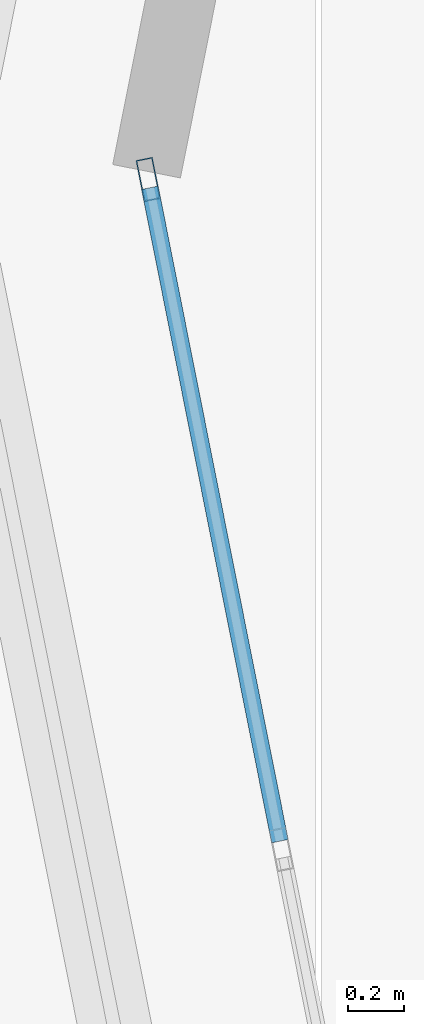
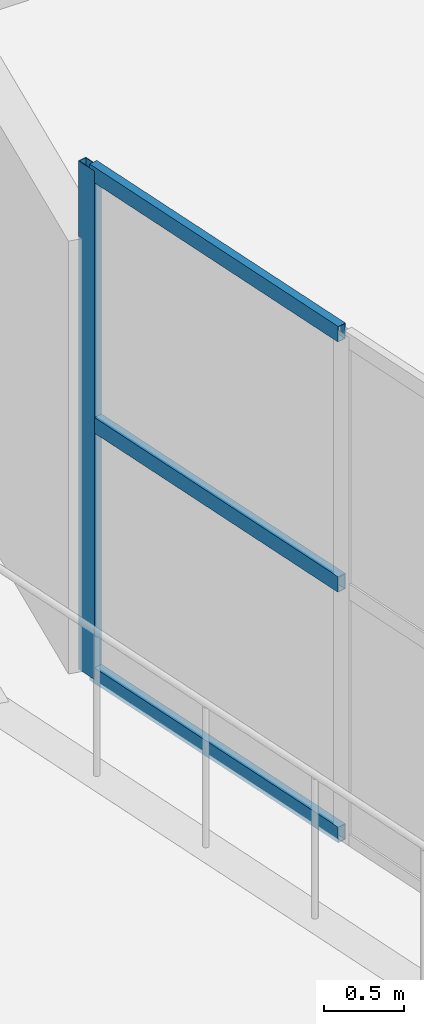
# One storey, part 3 of 50: 4 members, 1 element without a shape of its own.
"""IFC4 building model written with IfcOpenShell, lengths in metres."""

from ifc_helpers import new_model, si_unit, direction, frame, origin, origin_2d, place, context, subcontext, project, spatial, hollow_rectangle, extrude, material, layer, layer_set, material_profile, profile_set, type_object, element, aggregate, save


model = new_model("IFC4")

# Units and contexts
model_context = context("Model", 3, precision=1e-05, world=origin(), true_north=direction((0.0, 1.0)))
body_context = subcontext(model_context, "Body", "Model", "MODEL_VIEW")
ifc_project = project(units=[si_unit("LENGTHUNIT", "METRE"), si_unit("AREAUNIT", "SQUARE_METRE"), si_unit("VOLUMEUNIT", "CUBIC_METRE"), si_unit("PLANEANGLEUNIT", "RADIAN"), si_unit("MASSUNIT", "GRAM", prefix="KILO")], contexts=[model_context])

# Site, building, storey
site_placement = place(None, origin())
site = spatial("IfcSite", under=ifc_project, at=site_placement, CompositionType="ELEMENT")
building_placement = place(site_placement, origin())
building = spatial("IfcBuilding", under=site, at=building_placement, Name="Zizhar Promenade General Hospital", CompositionType="ELEMENT")
storey_placement = place(building_placement, frame((0.0, 0.0, 30.60009765625)))
storey = spatial("IfcBuildingStorey", under=building, at=storey_placement, Name="L07", CompositionType="ELEMENT", Elevation=30.60009765625)

# Curtain wall, members
ifc_material_1 = material(Name="Anodised aluminium 6063-T6 and low-E glass", Category="aluminium")
ifc_layer = layer(ifc_material_1, 0.159912109375)
ifc_layer_set = layer_set([ifc_layer], Name="Anodised aluminium 6063-T6 and low-E glass")
curtain_wall_type = type_object("IfcCurtainWallType", Name="CW-WARD-ARC", PredefinedType="NOTDEFINED", material=ifc_layer_set)
curtain_wall_placement = place(storey_placement, origin())
curtain_wall = element("IfcCurtainWall", 1, at=curtain_wall_placement, inside=storey, type_object=curtain_wall_type, Name="Ward Semicircular End Glazing L07-14", PredefinedType="NOTDEFINED")
ifc_material_2 = material(Name="Anodised aluminium 6063-T6", Category="aluminium")
ifc_material_profile_1 = material_profile(ifc_material_2, hollow_rectangle(XDim=0.06005859375, YDim=0.14990234375, WallThickness=0.00390625, at=origin_2d()))
ifc_profile_set_1 = profile_set([ifc_material_profile_1], Name="Anodised aluminium 6063-T6")
member_type_1 = type_object("IfcMemberType", Name="CWM-ALU-150x60", PredefinedType="MULLION", material=ifc_profile_set_1)
member_1_placement = place(storey_placement, frame((28.40576171875, 12.570556640625, 0.0), z_axis=(0.0, 0.0, 1.0), x_axis=(-0.980785889615, -0.195087259275, 0.0)))
member_1 = element("IfcMember", 2, at=member_1_placement, type_object=member_type_1, Name="CW-12 mullion 3", PredefinedType="MULLION", context=body_context, shape_type="SweptSolid", body=[
    extrude(hollow_rectangle(XDim=0.06005859375, YDim=0.14990234375, WallThickness=0.00390625, at=origin_2d()), origin(), (0.0, 0.0, 1.0), 3.89990234375),
])
ifc_material_3 = material(Name="Anodised aluminium 6063-T6", Category="aluminium")
ifc_material_profile_2 = material_profile(ifc_material_3, hollow_rectangle(XDim=0.06005859375, YDim=0.1201171875, WallThickness=0.00390625, at=origin_2d()))
ifc_profile_set_2 = profile_set([ifc_material_profile_2], Name="Anodised aluminium 6063-T6")
member_type_2 = type_object("IfcMemberType", Name="CWT-ALU-120x60", PredefinedType="USERDEFINED", material=ifc_profile_set_2)
member_2_placement = place(storey_placement, frame((28.873779296875, 10.218505859375, 0.02978515625), z_axis=(-0.195144637465, 0.980774474825, 0.0), x_axis=(-0.980774474825, -0.195144637465, 0.0)))
member_2 = element("IfcMember", 3, at=member_2_placement, type_object=member_type_2, Name="CW-12 transom 2.1", ObjectType="TRANSOM", PredefinedType="USERDEFINED", context=body_context, shape_type="SweptSolid", body=[
    extrude(hollow_rectangle(XDim=0.06005859375, YDim=0.1201171875, WallThickness=0.00390625, at=origin_2d()), origin(), (0.0, 0.0, 1.0), 2.3681640625),
])
member_3_placement = place(storey_placement, frame((28.873779296875, 10.218505859375, 1.949951171875), z_axis=(-0.195144637465, 0.980774474825, 0.0), x_axis=(-0.980774474825, -0.195144637465, 0.0)))
member_3 = element("IfcMember", 4, at=member_3_placement, type_object=member_type_2, Name="CW-12 transom 2.2", ObjectType="TRANSOM", PredefinedType="USERDEFINED", context=body_context, shape_type="SweptSolid", body=[
    extrude(hollow_rectangle(XDim=0.06005859375, YDim=0.1201171875, WallThickness=0.00390625, at=origin_2d()), origin(), (0.0, 0.0, 1.0), 2.3681640625),
])
member_4_placement = place(storey_placement, frame((28.873779296875, 10.218505859375, 3.869873046875), z_axis=(-0.195144637465, 0.980774474825, 0.0), x_axis=(-0.980774474825, -0.195144637465, 0.0)))
member_4 = element("IfcMember", 5, at=member_4_placement, type_object=member_type_2, Name="CW-12 transom 2.3", ObjectType="TRANSOM", PredefinedType="USERDEFINED", context=body_context, shape_type="SweptSolid", body=[
    extrude(hollow_rectangle(XDim=0.06005859375, YDim=0.1201171875, WallThickness=0.00390625, at=origin_2d()), origin(), (0.0, 0.0, 1.0), 2.3681640625),
])
aggregate(curtain_wall, [member_1, member_2, member_3, member_4])

save(model, "model.ifc")
